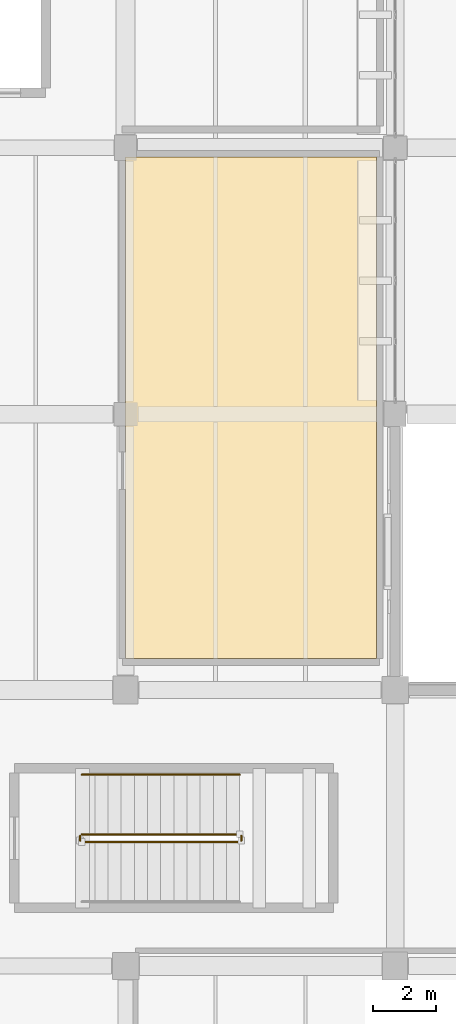
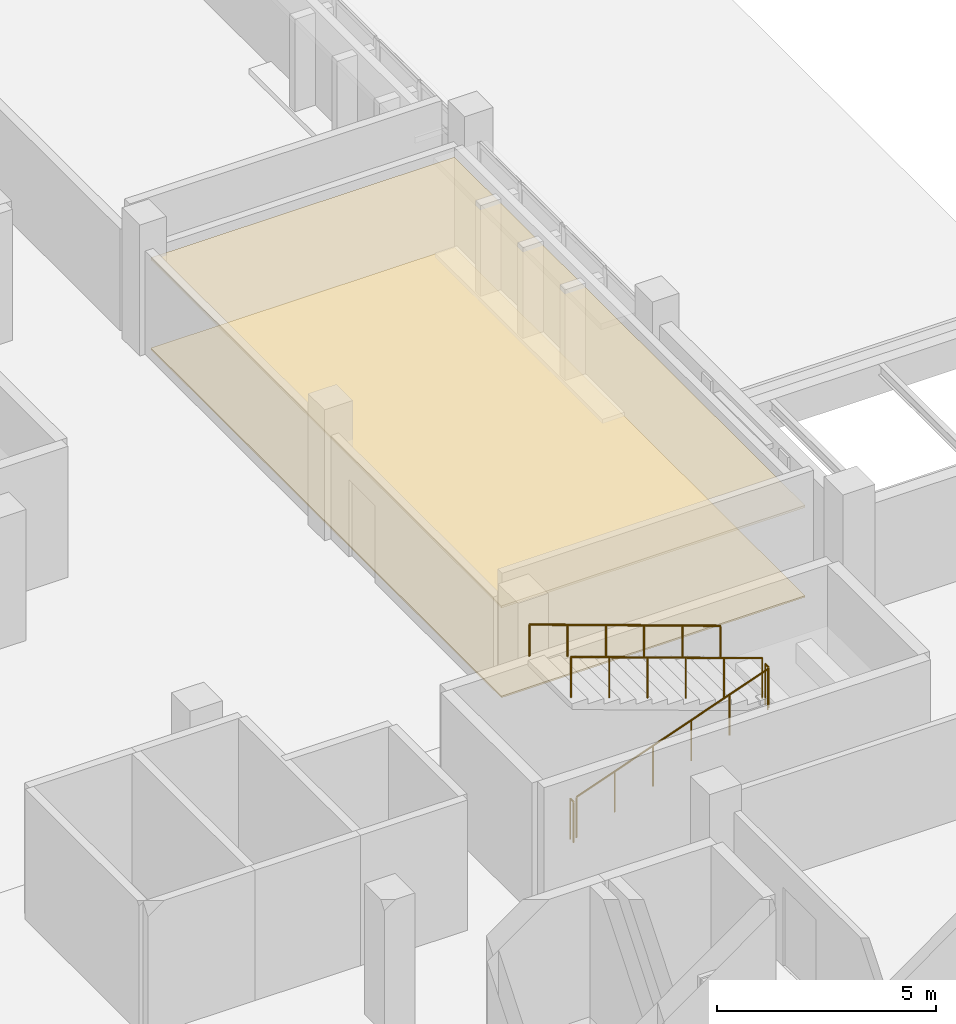
# One storey, part 72 of 80: 5 railings, 2 coverings.
"""IFC4 building model written with IfcOpenShell, lengths in metres."""

from ifc_helpers import new_model, si_unit, direction, frame, origin, origin_2d, place, context, subcontext, project, spatial, polyline, circle, outline, extrude, material, layer, layer_set, type_object, element, save


model = new_model("IFC4")

# Units and contexts
model_context = context("Model", 3, precision=1e-05, world=origin(), true_north=direction((0.0, 1.0)))
body_context = subcontext(model_context, "Body", "Model", "MODEL_VIEW")
ifc_project = project(units=[si_unit("LENGTHUNIT", "METRE"), si_unit("AREAUNIT", "SQUARE_METRE"), si_unit("VOLUMEUNIT", "CUBIC_METRE"), si_unit("PLANEANGLEUNIT", "RADIAN"), si_unit("MASSUNIT", "GRAM", prefix="KILO")], contexts=[model_context])

# Site, building, storey
site_placement = place(None, origin())
site = spatial("IfcSite", under=ifc_project, at=site_placement, CompositionType="ELEMENT")
building_placement = place(site_placement, origin())
building = spatial("IfcBuilding", under=site, at=building_placement, Name="Varnakota Cinema and Media Centre", CompositionType="ELEMENT")
storey_placement = place(building_placement, frame((0.0, 0.0, 4.5)))
storey = spatial("IfcBuildingStorey", under=building, at=storey_placement, Name="L01", CompositionType="ELEMENT", Elevation=4.5)

# Coverings
ifc_material_1 = material(Name="Autoclaved aerated concrete blockwork", Category="masonry")
ifc_layer_1 = layer(ifc_material_1, 0.06005859375)
ifc_layer_set_1 = layer_set([ifc_layer_1], Name="Autoclaved aerated concrete blockwork")
covering_type_1 = type_object("IfcCoveringType", Name="COV-ACOUST-CEIL-60", PredefinedType="CEILING", material=ifc_layer_set_1)
covering_1_placement = place(storey_placement, frame((0.0, 0.0, 2.5)))
element("IfcCovering", 1, at=covering_1_placement, inside=storey, type_object=covering_type_1, Name="L01 ADR and Dubbing Recording Studio acoustic baffle ceiling", PredefinedType="CEILING", context=body_context, shape_type="SweptSolid", body=[
    extrude(outline(polyline([(25.800048828125, 36.199951171875), (33.800048828125, 36.199951171875), (33.800048828125, 52.199951171875), (25.800048828125, 52.199951171875), (25.800048828125, 36.199951171875)])), origin(), (0.0, 0.0, 1.0), 0.06005859375),
])
ifc_material_2 = material(Name="Deccan grey granite ashlar", Category="masonry")
ifc_layer_2 = layer(ifc_material_2, 0.044921875)
ifc_layer_set_2 = layer_set([ifc_layer_2], Name="Deccan grey granite ashlar")
covering_type_2 = type_object("IfcCoveringType", Name="COV-STUDIO-FLR-45", PredefinedType="FLOORING", material=ifc_layer_set_2)
covering_2_placement = place(storey_placement, origin())
element("IfcCovering", 2, at=covering_2_placement, inside=storey, type_object=covering_type_2, Name="L01 ADR and Dubbing Recording Studio isolated studio floor finish", PredefinedType="FLOORING", context=body_context, shape_type="SweptSolid", body=[
    extrude(outline(polyline([(25.800048828125, 36.199951171875), (33.800048828125, 36.199951171875), (33.800048828125, 52.199951171875), (25.800048828125, 52.199951171875), (25.800048828125, 36.199951171875)])), origin(), (0.0, 0.0, 1.0), 0.044921875),
])

# Railings
ifc_material_3 = material(Name="Structural steel Grade 350 (E350)", Category="steel")
ifc_layer_3 = layer(ifc_material_3, 0.050048828125)
ifc_layer_set_3 = layer_set([ifc_layer_3], Name="Structural steel Grade 350 (E350)")
railing_type_1 = type_object("IfcRailingType", Name="RAIL-STAIR-GUARD-1150", PredefinedType="GUARDRAIL", material=ifc_layer_set_3)
railing_1_placement = place(storey_placement, frame((24.39990234375, 30.35009765625, 0.14990234375)))
element("IfcRailing", 3, at=railing_1_placement, inside=storey, type_object=railing_type_1, Name="L01 ST-02 stair guard 1", PredefinedType="GUARDRAIL", context=body_context, shape_type="SweptSolid", body=[
    extrude(circle(Radius=0.02392578125, at=origin_2d()), frame((0.0, 0.0, 1.1259765625), z_axis=(0.94173984741, 0.0, 0.336342176659), x_axis=(0.0, 1.0, 0.0)), (0.0, 0.0, 1.0), 5.351806640625),
    extrude(circle(Radius=0.02099609375, at=origin_2d()), origin(), (0.0, 0.0, 1.0), 1.101806640625),
    extrude(circle(Radius=0.02099609375, at=origin_2d()), frame((1.008056640625, 0.0, 0.360107421875)), (0.0, 0.0, 1.0), 1.101806640625),
    extrude(circle(Radius=0.02099609375, at=origin_2d()), frame((2.01611328125, 0.0, 0.719970703125)), (0.0, 0.0, 1.0), 1.101806640625),
    extrude(circle(Radius=0.02099609375, at=origin_2d()), frame((3.02392578125, 0.0, 1.080078125)), (0.0, 0.0, 1.0), 1.101806640625),
    extrude(circle(Radius=0.02099609375, at=origin_2d()), frame((4.031982421875, 0.0, 1.43994140625)), (0.0, 0.0, 1.0), 1.101806640625),
    extrude(circle(Radius=0.02099609375, at=origin_2d()), frame((5.0400390625, 0.0, 1.800048828125)), (0.0, 0.0, 1.0), 1.101806640625),
])
railing_2_placement = place(storey_placement, frame((29.489990234375, 30.39990234375, 1.949951171875)))
element("IfcRailing", 4, at=railing_2_placement, inside=storey, type_object=railing_type_1, Name="L01 ST-02 stair guard 2", PredefinedType="GUARDRAIL", context=body_context, shape_type="SweptSolid", body=[
    extrude(circle(Radius=0.02392578125, at=origin_2d()), frame((0.0, 0.0, 1.1259765625), z_axis=(0.0, 1.0, 0.0), x_axis=(-1.0, 0.0, 0.0)), (0.0, 0.0, 1.0), 0.150146484375),
    extrude(circle(Radius=0.02099609375, at=origin_2d()), origin(), (0.0, 0.0, 1.0), 1.101806640625),
    extrude(circle(Radius=0.02099609375, at=origin_2d()), frame((0.0, 0.150146484375, 0.0)), (0.0, 0.0, 1.0), 1.101806640625),
])
railing_3_placement = place(storey_placement, frame((29.43994140625, 30.60009765625, 2.10009765625)))
element("IfcRailing", 5, at=railing_3_placement, inside=storey, type_object=railing_type_1, Name="L01 ST-02 stair guard 3", PredefinedType="GUARDRAIL", context=body_context, shape_type="SweptSolid", body=[
    extrude(circle(Radius=0.02392578125, at=origin_2d()), frame((0.0, 0.0, 1.1259765625), z_axis=(-0.941754296148, 0.0, 0.336301718233), x_axis=(0.0, -1.0, 0.0)), (0.0, 0.0, 1.0), 5.351806640625),
    extrude(circle(Radius=0.02099609375, at=origin_2d()), origin(), (0.0, 0.0, 1.0), 1.101806640625),
    extrude(circle(Radius=0.02099609375, at=origin_2d()), frame((-1.008056640625, 0.0, 0.35986328125)), (0.0, 0.0, 1.0), 1.101806640625),
    extrude(circle(Radius=0.02099609375, at=origin_2d()), frame((-2.01611328125, 0.0, 0.719970703125)), (0.0, 0.0, 1.0), 1.101806640625),
    extrude(circle(Radius=0.02099609375, at=origin_2d()), frame((-3.02392578125, 0.0, 1.079833984375)), (0.0, 0.0, 1.0), 1.101806640625),
    extrude(circle(Radius=0.02099609375, at=origin_2d()), frame((-4.031982421875, 0.0, 1.43994140625)), (0.0, 0.0, 1.0), 1.101806640625),
    extrude(circle(Radius=0.02099609375, at=origin_2d()), frame((-5.0400390625, 0.0, 1.7998046875)), (0.0, 0.0, 1.0), 1.101806640625),
])
railing_4_placement = place(storey_placement, frame((24.35009765625, 30.39990234375, 0.0)))
element("IfcRailing", 6, at=railing_4_placement, inside=storey, type_object=railing_type_1, Name="L01 ST-02 stair guard 4", PredefinedType="GUARDRAIL", context=body_context, shape_type="SweptSolid", body=[
    extrude(circle(Radius=0.02392578125, at=origin_2d()), frame((0.0, 0.0, 1.1259765625), z_axis=(0.0, 1.0, 0.0), x_axis=(-1.0, 0.0, 0.0)), (0.0, 0.0, 1.0), 0.150146484375),
    extrude(circle(Radius=0.02099609375, at=origin_2d()), origin(), (0.0, 0.0, 1.0), 1.101806640625),
    extrude(circle(Radius=0.02099609375, at=origin_2d()), frame((0.0, 0.150146484375, 0.0)), (0.0, 0.0, 1.0), 1.101806640625),
])
ifc_material_4 = material(Name="Structural steel Grade 350 (E350)", Category="steel")
ifc_layer_4 = layer(ifc_material_4, 0.048095703125)
ifc_layer_set_4 = layer_set([ifc_layer_4], Name="Structural steel Grade 350 (E350)")
railing_type_2 = type_object("IfcRailingType", Name="RAIL-STAIR-HAND-900", PredefinedType="HANDRAIL", material=ifc_layer_set_4)
railing_5_placement = place(storey_placement, frame((29.43994140625, 32.5, 2.10009765625)))
element("IfcRailing", 7, at=railing_5_placement, inside=storey, type_object=railing_type_2, Name="L01 ST-02 stair handrail 2", PredefinedType="HANDRAIL", context=body_context, shape_type="SweptSolid", body=[
    extrude(circle(Radius=0.02392578125, at=origin_2d()), frame((0.0, 0.0, 0.8759765625), z_axis=(-0.941754296148, 0.0, 0.336301718233), x_axis=(0.0, -1.0, 0.0)), (0.0, 0.0, 1.0), 5.351806640625),
    extrude(circle(Radius=0.02099609375, at=origin_2d()), origin(), (0.0, 0.0, 1.0), 0.851806640625),
    extrude(circle(Radius=0.02099609375, at=origin_2d()), frame((-1.008056640625, 0.0, 0.35986328125)), (0.0, 0.0, 1.0), 0.851806640625),
    extrude(circle(Radius=0.02099609375, at=origin_2d()), frame((-2.01611328125, 0.0, 0.719970703125)), (0.0, 0.0, 1.0), 0.851806640625),
    extrude(circle(Radius=0.02099609375, at=origin_2d()), frame((-3.02392578125, 0.0, 1.079833984375)), (0.0, 0.0, 1.0), 0.851806640625),
    extrude(circle(Radius=0.02099609375, at=origin_2d()), frame((-4.031982421875, 0.0, 1.43994140625)), (0.0, 0.0, 1.0), 0.851806640625),
    extrude(circle(Radius=0.02099609375, at=origin_2d()), frame((-5.0400390625, 0.0, 1.7998046875)), (0.0, 0.0, 1.0), 0.851806640625),
])

save(model, "model.ifc")
